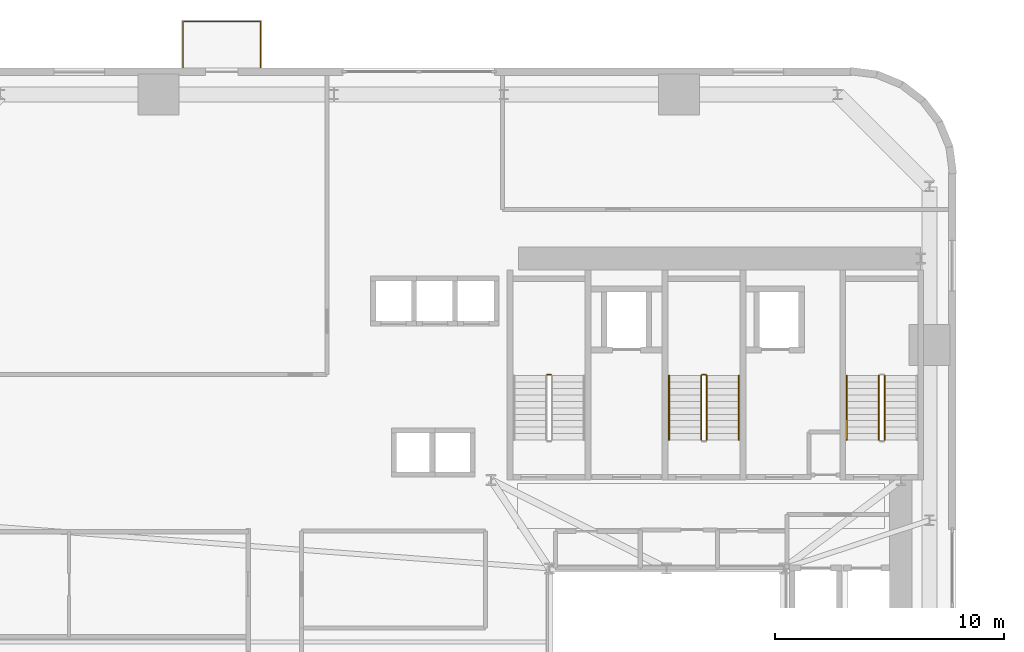
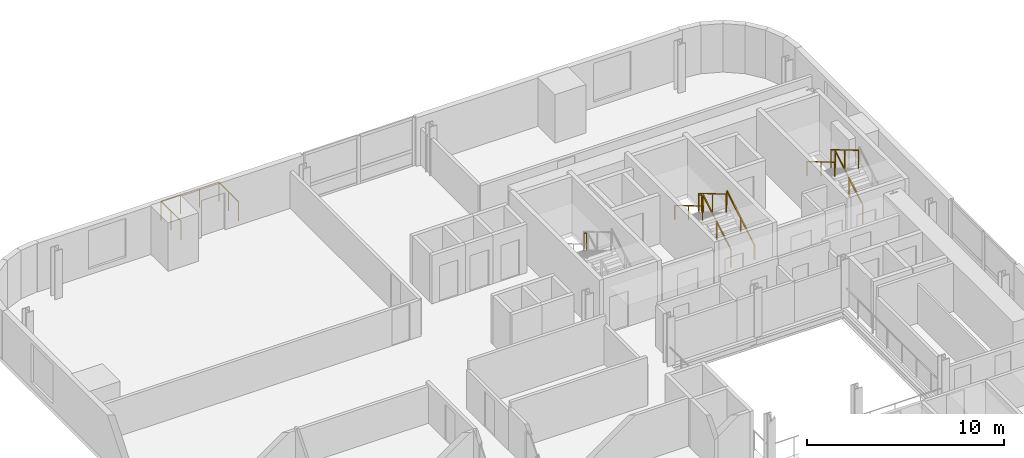
# One storey, part 12 of 13: 10 railings.
"""IFC4 building model written with IfcOpenShell, lengths in metres."""

from ifc_helpers import new_model, si_unit, direction, frame, origin, origin_2d, place, context, subcontext, project, spatial, rectangle, extrude, source, transform, mapped, material, type_object, element, save


model = new_model("IFC4")

# Units and contexts
model_context = context("Model", 3, precision=1e-05, world=origin(), true_north=direction((0.0, 1.0)))
body_context = subcontext(model_context, "Body", "Model", "MODEL_VIEW")
ifc_project = project(units=[si_unit("LENGTHUNIT", "METRE"), si_unit("AREAUNIT", "SQUARE_METRE"), si_unit("VOLUMEUNIT", "CUBIC_METRE"), si_unit("PLANEANGLEUNIT", "RADIAN"), si_unit("MASSUNIT", "GRAM", prefix="KILO")], contexts=[model_context])

# Site, building, storey
site_placement = place(None, origin())
site = spatial("IfcSite", under=ifc_project, at=site_placement, CompositionType="ELEMENT")
building_placement = place(site_placement, origin())
building = spatial("IfcBuilding", under=site, at=building_placement, Name="Vardaveli Station Tower", CompositionType="ELEMENT")
storey_placement = place(building_placement, frame((0.0, 0.0, 89.64990234375)))
storey = spatial("IfcBuildingStorey", under=building, at=storey_placement, Name="L23", CompositionType="ELEMENT", Elevation=89.64990234375)

# Railings
ifc_material_1 = material(Name="Laminated glass and stainless steel balustrade", Category="steel")
railing_type_1 = type_object("IfcRailingType", Name="RL-BAL-1200", PredefinedType="BALUSTRADE", material=ifc_material_1)
shared_shape_1 = source(origin(), body_context, "Body", "SweptSolid", [
    extrude(rectangle(XDim=0.048095703125, YDim=0.048095703125, at=origin_2d()), frame((0.0, 0.0, 1.17578125), z_axis=(0.0, 1.0, 0.0), x_axis=(-1.0, 0.0, 0.0)), (0.0, 0.0, 1.0), 2.0),
    extrude(rectangle(XDim=0.048095703125, YDim=0.048095703125, at=origin_2d()), frame((0.0, 2.0, 1.17578125), z_axis=(1.0, 0.0, 0.0), x_axis=(0.0, 1.0, 0.0)), (0.0, 0.0, 1.0), 3.3798828125),
    extrude(rectangle(XDim=0.048095703125, YDim=0.048095703125, at=origin_2d()), frame((3.3798828125, 2.0, 1.17578125), z_axis=(0.0, -1.0, 0.0), x_axis=(1.0, 0.0, 0.0)), (0.0, 0.0, 1.0), 2.0),
    extrude(rectangle(XDim=0.0419921875, YDim=0.0419921875, at=origin_2d()), origin(), (0.0, 0.0, 1.0), 1.15185546875),
    extrude(rectangle(XDim=0.0419921875, YDim=0.0419921875, at=origin_2d()), frame((0.0, 1.0, 0.0)), (0.0, 0.0, 1.0), 1.15185546875),
    extrude(rectangle(XDim=0.0419921875, YDim=0.0419921875, at=origin_2d()), frame((0.0, 2.0, 0.0)), (0.0, 0.0, 1.0), 1.15185546875),
    extrude(rectangle(XDim=0.0419921875, YDim=0.0419921875, at=origin_2d()), frame((1.126708984375, 2.0, 0.0)), (0.0, 0.0, 1.0), 1.15185546875),
    extrude(rectangle(XDim=0.0419921875, YDim=0.0419921875, at=origin_2d()), frame((2.253173828125, 2.0, 0.0)), (0.0, 0.0, 1.0), 1.15185546875),
    extrude(rectangle(XDim=0.0419921875, YDim=0.0419921875, at=origin_2d()), frame((3.3798828125, 2.0, 0.0)), (0.0, 0.0, 1.0), 1.15185546875),
    extrude(rectangle(XDim=0.0419921875, YDim=0.0419921875, at=origin_2d()), frame((3.3798828125, 1.0, 0.0)), (0.0, 0.0, 1.0), 1.15185546875),
    extrude(rectangle(XDim=0.0419921875, YDim=0.0419921875, at=origin_2d()), frame((3.3798828125, 0.0, 0.0)), (0.0, 0.0, 1.0), 1.15185546875),
])
railing_1_placement = place(storey_placement, frame((15.220458984375, 48.639892578125, 0.0)))
element("IfcRailing", 1, at=railing_1_placement, inside=storey, type_object=railing_type_1, Name="RL-LOG-L23-02", PredefinedType="BALUSTRADE", context=body_context, shape_type="MappedRepresentation", body=[
    mapped(shared_shape_1, transform((0.0, 0.0, 0.0), scale=1.0)),
])
ifc_material_2 = material(Name="Brushed AISI 316 stainless steel", Category="steel")
railing_type_2 = type_object("IfcRailingType", Name="RL-GUARD-1150", PredefinedType="GUARDRAIL", material=ifc_material_2)
shared_shape_2 = source(origin(), body_context, "Body", "SweptSolid", [
    extrude(rectangle(XDim=0.048095703125, YDim=0.048095703125, at=origin_2d()), frame((0.0, 0.0, 1.1259765625), z_axis=(-1.0, 0.0, 0.0), x_axis=(0.0, -1.0, 0.0)), (0.0, 0.0, 1.0), 0.14990234375),
    extrude(rectangle(XDim=0.0419921875, YDim=0.0419921875, at=origin_2d()), origin(), (0.0, 0.0, 1.0), 1.101806640625),
    extrude(rectangle(XDim=0.0419921875, YDim=0.0419921875, at=origin_2d()), frame((-0.14990234375, 0.0, 0.0)), (0.0, 0.0, 1.0), 1.101806640625),
])
for number, where, name in (
    (2, (31.25, 35.25, 1.8251953125), "L23 ST-1 stair guard 2"),
    (3, (38.0, 35.25, 1.8251953125), "L23 ST-2 stair guard 2"),
):
    element("IfcRailing", number, at=place(storey_placement, frame(where)), inside=storey, type_object=railing_type_2, Name=name, PredefinedType="GUARDRAIL", context=body_context, shape_type="MappedRepresentation", body=[
        mapped(shared_shape_2, transform((0.0, 0.0, 0.0), scale=1.0)),
    ])
shared_shape_3 = source(origin(), body_context, "Body", "SweptSolid", [
    extrude(rectangle(XDim=0.048095703125, YDim=0.048095703125, at=origin_2d()), frame((0.0, 0.0, 1.1259765625), z_axis=(0.0, 0.860306154799, 0.50977771628), x_axis=(-1.0, 0.0, 0.0)), (0.0, 0.0, 1.0), 3.254638671875),
    extrude(rectangle(XDim=0.0419921875, YDim=0.0419921875, at=origin_2d()), origin(), (0.0, 0.0, 1.0), 1.101806640625),
    extrude(rectangle(XDim=0.0419921875, YDim=0.0419921875, at=origin_2d()), frame((0.0, 1.39990234375, 0.82958984375)), (0.0, 0.0, 1.0), 1.101806640625),
    extrude(rectangle(XDim=0.0419921875, YDim=0.0419921875, at=origin_2d()), frame((0.0, 2.800048828125, 1.6591796875)), (0.0, 0.0, 1.0), 1.101806640625),
])
for number, where, name in (
    (4, (38.050048828125, 32.39990234375, 0.166015625), "L23 ST-2 stair guard 1"),
    (5, (45.800048828125, 32.39990234375, 0.166015625), "L23 ST-3 stair guard 1"),
):
    element("IfcRailing", number, at=place(storey_placement, frame(where)), inside=storey, type_object=railing_type_2, Name=name, PredefinedType="GUARDRAIL", context=body_context, shape_type="MappedRepresentation", body=[
        mapped(shared_shape_3, transform((0.0, 0.0, 0.0), scale=1.0)),
    ])
shared_shape_4 = source(origin(), body_context, "Body", "SweptSolid", [
    extrude(rectangle(XDim=0.048095703125, YDim=0.048095703125, at=origin_2d()), frame((0.0, 0.0, 1.1259765625), z_axis=(0.0, -0.860306154799, 0.50977771628), x_axis=(1.0, 0.0, 0.0)), (0.0, 0.0, 1.0), 3.254638671875),
    extrude(rectangle(XDim=0.0419921875, YDim=0.0419921875, at=origin_2d()), origin(), (0.0, 0.0, 1.0), 1.101806640625),
    extrude(rectangle(XDim=0.0419921875, YDim=0.0419921875, at=origin_2d()), frame((0.0, -1.39990234375, 0.82958984375)), (0.0, 0.0, 1.0), 1.101806640625),
    extrude(rectangle(XDim=0.0419921875, YDim=0.0419921875, at=origin_2d()), frame((0.0, -2.800048828125, 1.6591796875)), (0.0, 0.0, 1.0), 1.101806640625),
])
for number, where, name in (
    (6, (37.800048828125, 35.199951171875, 1.990966796875), "L23 ST-2 stair guard 3"),
    (7, (45.550048828125, 35.199951171875, 1.990966796875), "L23 ST-3 stair guard 3"),
):
    element("IfcRailing", number, at=place(storey_placement, frame(where)), inside=storey, type_object=railing_type_2, Name=name, PredefinedType="GUARDRAIL", context=body_context, shape_type="MappedRepresentation", body=[
        mapped(shared_shape_4, transform((0.0, 0.0, 0.0), scale=1.0)),
    ])
railing_type_3 = type_object("IfcRailingType", Name="RL-HAND-900", PredefinedType="HANDRAIL", material=ifc_material_2)
shared_shape_5 = source(origin(), body_context, "Body", "SweptSolid", [
    extrude(rectangle(XDim=0.048095703125, YDim=0.048095703125, at=origin_2d()), frame((0.0, 0.0, 0.8759765625), z_axis=(0.0, 0.860306154799, 0.50977771628), x_axis=(-1.0, 0.0, 0.0)), (0.0, 0.0, 1.0), 3.254638671875),
    extrude(rectangle(XDim=0.0419921875, YDim=0.0419921875, at=origin_2d()), origin(), (0.0, 0.0, 1.0), 0.851806640625),
    extrude(rectangle(XDim=0.0419921875, YDim=0.0419921875, at=origin_2d()), frame((0.0, 1.39990234375, 0.82958984375)), (0.0, 0.0, 1.0), 0.851806640625),
    extrude(rectangle(XDim=0.0419921875, YDim=0.0419921875, at=origin_2d()), frame((0.0, 2.800048828125, 1.6591796875)), (0.0, 0.0, 1.0), 0.851806640625),
])
railing_2_placement = place(storey_placement, frame((39.449951171875, 32.39990234375, 0.166015625)))
element("IfcRailing", 8, at=railing_2_placement, inside=storey, type_object=railing_type_3, Name="L23 ST-2 stair handrail 1", PredefinedType="HANDRAIL", context=body_context, shape_type="MappedRepresentation", body=[
    mapped(shared_shape_5, transform((0.0, 0.0, 0.0), scale=1.0)),
])
shared_shape_6 = source(origin(), body_context, "Body", "SweptSolid", [
    extrude(rectangle(XDim=0.048095703125, YDim=0.048095703125, at=origin_2d()), frame((0.0, 0.0, 0.8759765625), z_axis=(0.0, -0.860306154799, 0.50977771628), x_axis=(1.0, 0.0, 0.0)), (0.0, 0.0, 1.0), 3.254638671875),
    extrude(rectangle(XDim=0.0419921875, YDim=0.0419921875, at=origin_2d()), origin(), (0.0, 0.0, 1.0), 0.851806640625),
    extrude(rectangle(XDim=0.0419921875, YDim=0.0419921875, at=origin_2d()), frame((0.0, -1.39990234375, 0.82958984375)), (0.0, 0.0, 1.0), 0.851806640625),
    extrude(rectangle(XDim=0.0419921875, YDim=0.0419921875, at=origin_2d()), frame((0.0, -2.800048828125, 1.6591796875)), (0.0, 0.0, 1.0), 0.851806640625),
])
for number, where, name in (
    (9, (36.39990234375, 35.199951171875, 1.990966796875), "L23 ST-2 stair handrail 2"),
    (10, (44.14990234375, 35.199951171875, 1.990966796875), "L23 ST-3 stair handrail 2"),
):
    element("IfcRailing", number, at=place(storey_placement, frame(where)), inside=storey, type_object=railing_type_3, Name=name, PredefinedType="HANDRAIL", context=body_context, shape_type="MappedRepresentation", body=[
        mapped(shared_shape_6, transform((0.0, 0.0, 0.0), scale=1.0)),
    ])

save(model, "model.ifc")
